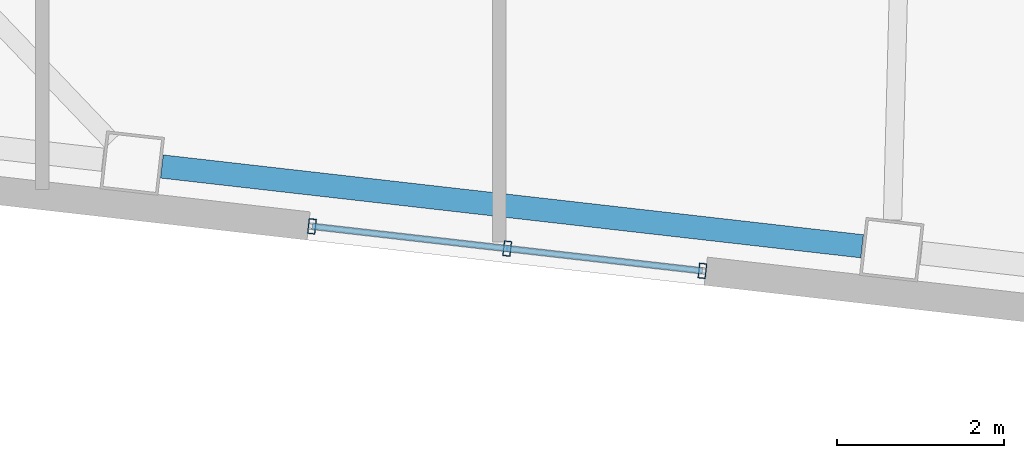
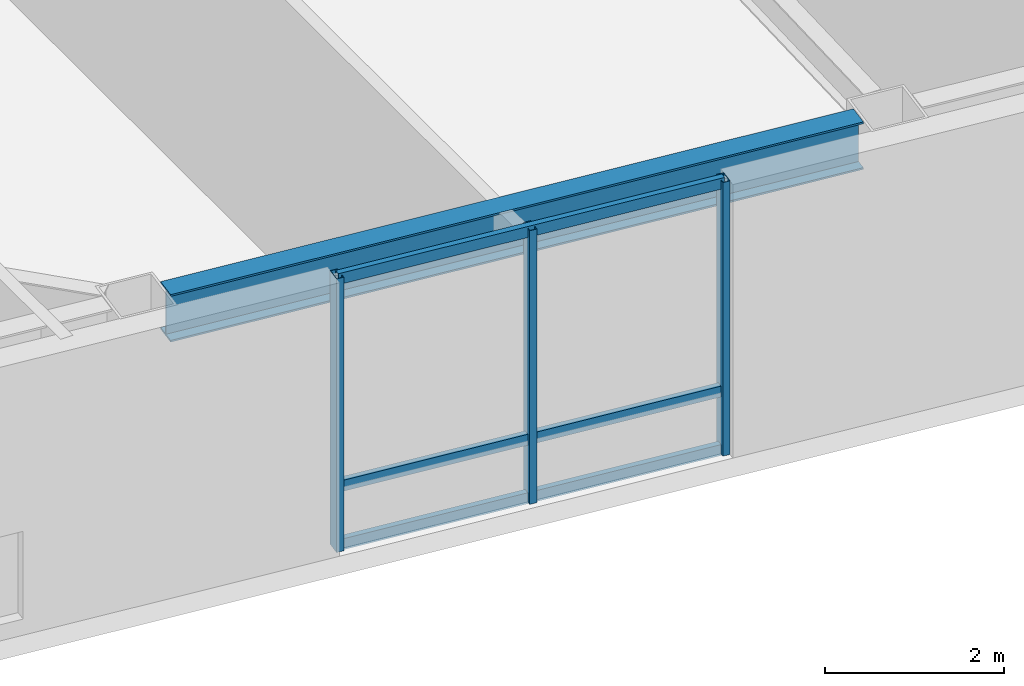
# One storey, part 2 of 21: 6 members, 1 beam, 1 element without a shape of its own.
"""IFC4 building model written with IfcOpenShell, lengths in metres."""

import ifcopenshell
import ifcopenshell.guid

model = None  # the IFC model being written
_history = None  # IfcOwnerHistory: only IFC2X3 demands one
_inside = {}  # id of a spatial element -> (the spatial element, [elements in it])
_under = {}  # id of a project, library or spatial element -> (it, [spatial elements below it])
_declared = {}  # id of a project -> (the project, [libraries it declares])
_typed = {}  # id of a type object -> (the type object, [elements of that type])
_made_of = {}  # id of a material, layer set ... -> (it, [elements and type objects made of it])


def new_model(schema):
    """Start an empty IFC model of exactly this schema.

    Asked for "IFC4X3", IfcOpenShell would pick the latest addendum, in which some entities
    have other attributes; the version numbers below select the first issue.
    IFC2X3 requires an IfcOwnerHistory on every rooted entity: one is made here for all.
    """
    global model, _history
    if schema == "IFC4X3":
        model = ifcopenshell.file(schema_version=(4, 3, 0, 0))
    else:
        model = ifcopenshell.file(schema=schema)
    _inside.clear()
    _under.clear()
    _declared.clear()
    _typed.clear()
    _made_of.clear()
    _history = None
    if model.schema == "IFC2X3":
        org = make("IfcOrganization", Name="unknown")
        user = make(
            "IfcPersonAndOrganization",
            ThePerson=make("IfcPerson", FamilyName="unknown"),
            TheOrganization=org,
        )
        app = make(
            "IfcApplication",
            ApplicationDeveloper=org,
            Version="unknown",
            ApplicationFullName="unknown",
            ApplicationIdentifier="unknown",
        )
        _history = make(
            "IfcOwnerHistory",
            OwningUser=user,
            OwningApplication=app,
            ChangeAction="ADDED",
            CreationDate=0,
        )
    return model


def make(cls, **values):
    """One entity of the class cls with the attributes given. An attribute that is None is left unset."""
    return model.create_entity(
        cls, **{name: value for name, value in values.items() if value is not None}
    )


def rooted(cls, **values):
    """An entity with a GlobalId (a new one), such as an element, a storey or a relation."""
    return make(cls, GlobalId=ifcopenshell.guid.new(), OwnerHistory=_history, **values)


def si_unit(unit_type, name, prefix=None):
    """IfcSIUnit, for example si_unit("LENGTHUNIT", "METRE", prefix="MILLI")."""
    return make("IfcSIUnit", UnitType=unit_type, Prefix=prefix, Name=name)


def assignment(units):
    """IfcUnitAssignment: the units of a project."""
    return None if units is None else make("IfcUnitAssignment", Units=units)


def point(xyz):
    """IfcCartesianPoint."""
    return None if xyz is None else make("IfcCartesianPoint", Coordinates=xyz)


def direction(xyz):
    """IfcDirection."""
    return None if xyz is None else make("IfcDirection", DirectionRatios=xyz)


def frame(location, z_axis=None, x_axis=None):
    """IfcAxis2Placement3D, a coordinate frame: its origin and axes. An axis left out is left unset."""
    return make(
        "IfcAxis2Placement3D",
        Location=point(location),
        Axis=direction(z_axis),
        RefDirection=direction(x_axis),
    )


def frame_2d(location, x_axis=None):
    """IfcAxis2Placement2D, a coordinate frame in the plane: its origin and x axis."""
    return make(
        "IfcAxis2Placement2D", Location=point(location), RefDirection=direction(x_axis)
    )


def origin():
    """The frame at (0, 0, 0) with its axes left unset."""
    return frame((0.0, 0.0, 0.0))


def origin_2d():
    """The frame at (0, 0) in the plane with its x axis left unset."""
    return frame_2d((0.0, 0.0))


def place(relative_to, where):
    """IfcLocalPlacement: puts the frame where relative to a parent placement (None: the world)."""
    return make(
        "IfcLocalPlacement", PlacementRelTo=relative_to, RelativePlacement=where
    )


def context(
    kind, dimensions, precision=None, world=None, true_north=None, identifier=None
):
    """IfcGeometricRepresentationContext, for example the 3D "Model" context."""
    return make(
        "IfcGeometricRepresentationContext",
        ContextIdentifier=identifier,
        ContextType=kind,
        CoordinateSpaceDimension=dimensions,
        Precision=precision,
        WorldCoordinateSystem=world,
        TrueNorth=true_north,
    )


def subcontext(parent, identifier, kind, view, scale=None):
    """IfcGeometricRepresentationSubContext, for example "Body" below "Model"."""
    return make(
        "IfcGeometricRepresentationSubContext",
        ContextIdentifier=identifier,
        ContextType=kind,
        ParentContext=parent,
        TargetScale=scale,
        TargetView=view,
    )


def project(units=None, contexts=None):
    """IfcProject with its units and contexts."""
    return rooted(
        "IfcProject",
        Name="project",
        RepresentationContexts=contexts,
        UnitsInContext=assignment(units),
    )


def spatial(cls, under=None, at=None, **own):
    """A site, building, storey or space (cls), placed at a placement, below another one or the project."""
    s = rooted(cls, ObjectPlacement=at, **own)
    if under is not None:
        _under.setdefault(under.id(), (under, []))[1].append(s)
    return s


def profile(cls, at=None, kind="AREA", **sizes):
    """A parametric profile (cls). Its sizes go by their IFC names, for example OverallWidth=200.0."""
    return make(cls, ProfileType=kind, Position=at, **sizes)


def hollow_rectangle(**sizes):
    """IfcRectangleHollowProfileDef."""
    return profile("IfcRectangleHollowProfileDef", **sizes)


def i_section(**sizes):
    """IfcIShapeProfileDef."""
    return profile("IfcIShapeProfileDef", **sizes)


def extrude(swept, where, along, depth):
    """IfcExtrudedAreaSolid: the profile swept, set in the frame where, extruded along a direction by depth."""
    return make(
        "IfcExtrudedAreaSolid",
        SweptArea=swept,
        Position=where,
        ExtrudedDirection=direction(along),
        Depth=depth,
    )


def shape(context_of_items, identifier, shape_type, items):
    """IfcShapeRepresentation: the items that make up one representation, for example the "Body"."""
    return make(
        "IfcShapeRepresentation",
        ContextOfItems=context_of_items,
        RepresentationIdentifier=identifier,
        RepresentationType=shape_type,
        Items=items,
    )


def material(Name=None, Category=None):
    """IfcMaterial."""
    return make("IfcMaterial", Name=Name, Category=Category)


def layer(
    of_material, thickness, ventilated=None, Name=None, Category=None, Priority=None
):
    """IfcMaterialLayer: one layer of a wall or slab, of a material (None: an air gap)."""
    return make(
        "IfcMaterialLayer",
        Material=of_material,
        LayerThickness=thickness,
        IsVentilated=ventilated,
        Name=Name,
        Category=Category,
        Priority=Priority,
    )


def layer_set(layers, Name=None):
    """IfcMaterialLayerSet."""
    return make("IfcMaterialLayerSet", MaterialLayers=layers, LayerSetName=Name)


def material_profile(
    of_material, cross_section, Name=None, Category=None, Priority=None
):
    """IfcMaterialProfile: a cross section and its material."""
    return make(
        "IfcMaterialProfile",
        Name=Name,
        Material=of_material,
        Profile=cross_section,
        Priority=Priority,
        Category=Category,
    )


def profile_set(profiles, Name=None, composite=None):
    """IfcMaterialProfileSet."""
    return make(
        "IfcMaterialProfileSet",
        Name=Name,
        MaterialProfiles=profiles,
        CompositeProfile=composite,
    )


def made_of(thing, what):
    """Note that an element or type object is made of a material, layer set ...; save() writes the relation."""
    if what is not None:
        _made_of.setdefault(what.id(), (what, []))[1].append(thing)
    return thing


def type_object(cls, material=None, **own):
    """A type object (cls), such as IfcWallType, which elements share."""
    return made_of(rooted(cls, **own), material)


def element(
    cls,
    number,
    at=None,
    inside=None,
    cuts=None,
    type_object=None,
    material=None,
    context=None,
    identifier="Body",
    shape_type=None,
    held_by="IfcProductDefinitionShape",
    body=None,
    shapes=None,
    **own,
):
    """One element of the class cls, such as IfcWall. Its Tag is "e" and its number.

    at: its placement. inside: the storey or other place that contains it. cuts: it is an
    opening in that element (IfcRelVoidsElement). A single representation is given by context,
    identifier, shape_type and body (its items); several are given by shapes. held_by: the class
    of the entity that holds the representations. save() writes the other relations.
    """
    e = rooted(cls, Tag="e%d" % number, ObjectPlacement=at, **own)
    if body is not None:
        shapes = [shape(context, identifier, shape_type, body)]
    if shapes is not None:
        e.Representation = make(held_by, Representations=shapes)
    if inside is not None:
        _inside.setdefault(inside.id(), (inside, []))[1].append(e)
    if cuts is not None:
        rooted(
            "IfcRelVoidsElement", RelatingBuildingElement=cuts, RelatedOpeningElement=e
        )
    if type_object is not None:
        _typed.setdefault(type_object.id(), (type_object, []))[1].append(e)
    return made_of(e, material)


def aggregate(whole, parts):
    """IfcRelAggregates: a whole, such as a stair, and the parts it consists of."""
    return rooted("IfcRelAggregates", RelatingObject=whole, RelatedObjects=parts)


def save(model, path):
    """Write the relations noted so far, then the file.

    IfcRelAggregates (storeys below a building ...), IfcRelContainedInSpatialStructure (elements
    in a storey), IfcRelDefinesByType, IfcRelAssociatesMaterial and IfcRelDeclares: one each for
    every whole, place, type object, material and project.
    """
    for whole, parts in _under.values():
        aggregate(whole, parts)
    for where, things in _inside.values():
        rooted(
            "IfcRelContainedInSpatialStructure",
            RelatedElements=things,
            RelatingStructure=where,
        )
    for kind, things in _typed.values():
        rooted("IfcRelDefinesByType", RelatedObjects=things, RelatingType=kind)
    for what, things in _made_of.values():
        rooted("IfcRelAssociatesMaterial", RelatedObjects=things, RelatingMaterial=what)
    for by, libraries in _declared.values():
        rooted("IfcRelDeclares", RelatingContext=by, RelatedDefinitions=libraries)
    model.write(path)


model = new_model("IFC4")

# Units and contexts
model_context = context("Model", 3, precision=1e-05, world=origin(), true_north=direction((0.0, 1.0)))
body_context = subcontext(model_context, "Body", "Model", "MODEL_VIEW")
ifc_project = project(units=[si_unit("LENGTHUNIT", "METRE"), si_unit("AREAUNIT", "SQUARE_METRE"), si_unit("VOLUMEUNIT", "CUBIC_METRE"), si_unit("PLANEANGLEUNIT", "RADIAN"), si_unit("MASSUNIT", "GRAM", prefix="KILO")], contexts=[model_context])

# Site, building, storey
site_placement = place(None, origin())
site = spatial("IfcSite", under=ifc_project, at=site_placement, CompositionType="ELEMENT")
building_placement = place(site_placement, origin())
building = spatial("IfcBuilding", under=site, at=building_placement, Name="Tavrogorsk Clinical Tower", CompositionType="ELEMENT")
storey_placement = place(building_placement, frame((0.0, 0.0, 125.39990234375)))
storey = spatial("IfcBuildingStorey", under=building, at=storey_placement, Name="L28", CompositionType="ELEMENT", Elevation=125.39990234375)

# Curtain wall, members
ifc_material_1 = material(Name="Anodised aluminium and triple IGU glazing", Category="aluminium")
ifc_layer = layer(ifc_material_1, 0.179931640625)
ifc_layer_set = layer_set([ifc_layer], Name="Anodised aluminium and triple IGU glazing")
curtain_wall_type = type_object("IfcCurtainWallType", Name="CW3_SouthSlot", PredefinedType="NOTDEFINED", material=ifc_layer_set)
curtain_wall_placement = place(storey_placement, origin())
curtain_wall = element("IfcCurtainWall", 1, at=curtain_wall_placement, inside=storey, type_object=curtain_wall_type, Name="L28 Curtain Wall CW-L28-S-SLOT-1", PredefinedType="NOTDEFINED")
ifc_material_2 = material(Name="Anodised aluminium alloy AW-6060", Category="aluminium")
ifc_material_profile_1 = material_profile(ifc_material_2, hollow_rectangle(XDim=0.090087890625, YDim=0.179931640625, WallThickness=0.00634765625, at=origin_2d()), Name="RHS-180x90x6.3")
ifc_profile_set_1 = profile_set([ifc_material_profile_1], Name="Anodised aluminium alloy AW-6060")
member_type_1 = type_object("IfcMemberType", Name="CwMullion_180x90", PredefinedType="MULLION", material=ifc_profile_set_1)
member_1_placement = place(storey_placement, frame((-11.850341796875, -24.9658203125, 0.0), z_axis=(0.0, 0.0, 1.0), x_axis=(0.993571855603, -0.11320321441, 0.0)))
member_1 = element("IfcMember", 2, at=member_1_placement, type_object=member_type_1, Name="CW-L28-S-SLOT-1 Mullion 1", PredefinedType="MULLION", context=body_context, shape_type="SweptSolid", body=[
    extrude(hollow_rectangle(XDim=0.090087890625, YDim=0.179931640625, WallThickness=0.00634765625, at=origin_2d()), origin(), (0.0, 0.0, 1.0), 3.739990234375),
])
member_2_placement = place(storey_placement, frame((-9.50634765625, -25.23291015625, 0.0), z_axis=(0.0, 0.0, 1.0), x_axis=(0.993571855603, -0.11320321441, 0.0)))
member_2 = element("IfcMember", 3, at=member_2_placement, type_object=member_type_1, Name="CW-L28-S-SLOT-1 Mullion 2", PredefinedType="MULLION", context=body_context, shape_type="SweptSolid", body=[
    extrude(hollow_rectangle(XDim=0.090087890625, YDim=0.179931640625, WallThickness=0.00634765625, at=origin_2d()), origin(), (0.0, 0.0, 1.0), 3.739990234375),
])
member_3_placement = place(storey_placement, frame((-7.16259765625, -25.499755859375, 0.0), z_axis=(0.0, 0.0, 1.0), x_axis=(0.993571855603, -0.11320321441, 0.0)))
member_3 = element("IfcMember", 4, at=member_3_placement, type_object=member_type_1, Name="CW-L28-S-SLOT-1 Mullion 3", PredefinedType="MULLION", context=body_context, shape_type="SweptSolid", body=[
    extrude(hollow_rectangle(XDim=0.090087890625, YDim=0.179931640625, WallThickness=0.00634765625, at=origin_2d()), origin(), (0.0, 0.0, 1.0), 3.739990234375),
])
ifc_material_3 = material(Name="Anodised aluminium alloy AW-6060", Category="aluminium")
ifc_material_profile_2 = material_profile(ifc_material_3, hollow_rectangle(XDim=0.074951171875, YDim=0.14990234375, WallThickness=0.0048828125, at=origin_2d()), Name="RHS-150x75x5")
ifc_profile_set_2 = profile_set([ifc_material_profile_2], Name="Anodised aluminium alloy AW-6060")
member_type_2 = type_object("IfcMemberType", Name="CwTransom_150x75", PredefinedType="USERDEFINED", material=ifc_profile_set_2)
member_4_placement = place(storey_placement, frame((-11.850341796875, -24.9658203125, 0.050048828125), z_axis=(0.993575798904, -0.113168599146, 0.0), x_axis=(0.113168599146, 0.993575798904, 0.0)))
member_4 = element("IfcMember", 5, at=member_4_placement, type_object=member_type_2, Name="CW-L28-S-SLOT-1 Transom 1", ObjectType="TRANSOM", PredefinedType="USERDEFINED", context=body_context, shape_type="SweptSolid", body=[
    extrude(hollow_rectangle(XDim=0.074951171875, YDim=0.14990234375, WallThickness=0.0048828125, at=origin_2d()), origin(), (0.0, 0.0, 1.0), 4.718017578125),
])
member_5_placement = place(storey_placement, frame((-11.850341796875, -24.9658203125, 0.85009765625), z_axis=(0.993575798904, -0.113168599146, 0.0), x_axis=(0.113168599146, 0.993575798904, 0.0)))
member_5 = element("IfcMember", 6, at=member_5_placement, type_object=member_type_2, Name="CW-L28-S-SLOT-1 Transom 2", ObjectType="TRANSOM", PredefinedType="USERDEFINED", context=body_context, shape_type="SweptSolid", body=[
    extrude(hollow_rectangle(XDim=0.074951171875, YDim=0.14990234375, WallThickness=0.0048828125, at=origin_2d()), origin(), (0.0, 0.0, 1.0), 4.718017578125),
])
member_6_placement = place(storey_placement, frame((-11.850341796875, -24.9658203125, 3.690185546875), z_axis=(0.993575798904, -0.113168599146, 0.0), x_axis=(0.113168599146, 0.993575798904, 0.0)))
member_6 = element("IfcMember", 7, at=member_6_placement, type_object=member_type_2, Name="CW-L28-S-SLOT-1 Transom 3", ObjectType="TRANSOM", PredefinedType="USERDEFINED", context=body_context, shape_type="SweptSolid", body=[
    extrude(hollow_rectangle(XDim=0.074951171875, YDim=0.14990234375, WallThickness=0.0048828125, at=origin_2d()), origin(), (0.0, 0.0, 1.0), 4.718017578125),
])
aggregate(curtain_wall, [member_1, member_2, member_3, member_4, member_5, member_6])

# Beam
ifc_material_4 = material(Name="Structural steel S390", Category="steel")
ifc_material_profile_3 = material_profile(ifc_material_4, i_section(OverallWidth=0.280029296875, OverallDepth=0.64990234375, WebThickness=0.01611328125, FlangeThickness=0.02490234375, at=origin_2d()), Name="B-650x280x16x25")
ifc_profile_set_3 = profile_set([ifc_material_profile_3], Name="Structural steel S390")
beam_type = type_object("IfcBeamType", Name="SpandrelBeam_B650", PredefinedType="SPANDREL", material=ifc_profile_set_3)
beam_placement = place(storey_placement, frame((-13.652099609375, -24.2470703125, 3.4150390625), z_axis=(0.993569449752, -0.113224328304, 0.0), x_axis=(0.113224328304, 0.993569449752, 0.0)))
element("IfcBeam", 8, at=beam_placement, inside=storey, type_object=beam_type, Name="L28 Perimeter Spandrel S3-S4", PredefinedType="SPANDREL", context=body_context, shape_type="SweptSolid", body=[
    extrude(i_section(OverallWidth=0.280029296875, OverallDepth=0.64990234375, WebThickness=0.01611328125, FlangeThickness=0.02490234375, at=origin_2d()), origin(), (0.0, 0.0, 1.0), 8.461181640625),
])

save(model, "model.ifc")
